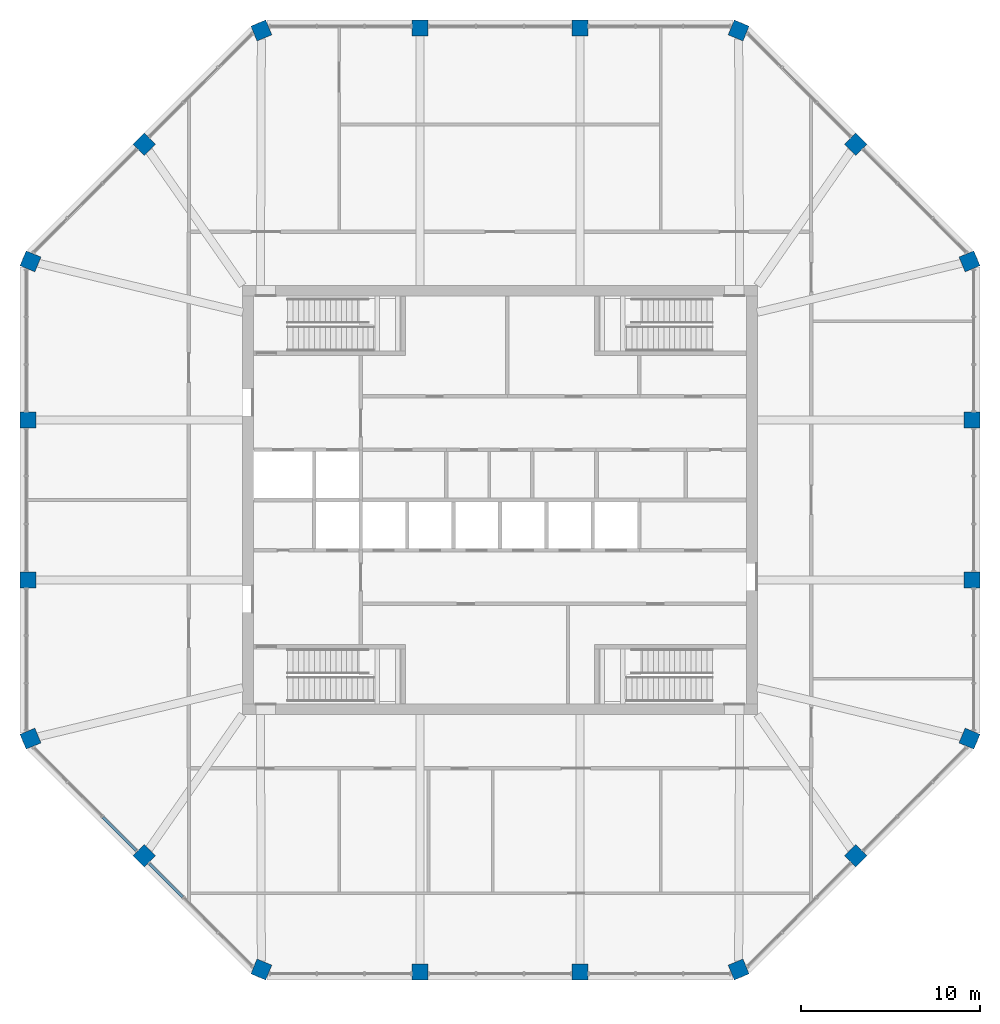
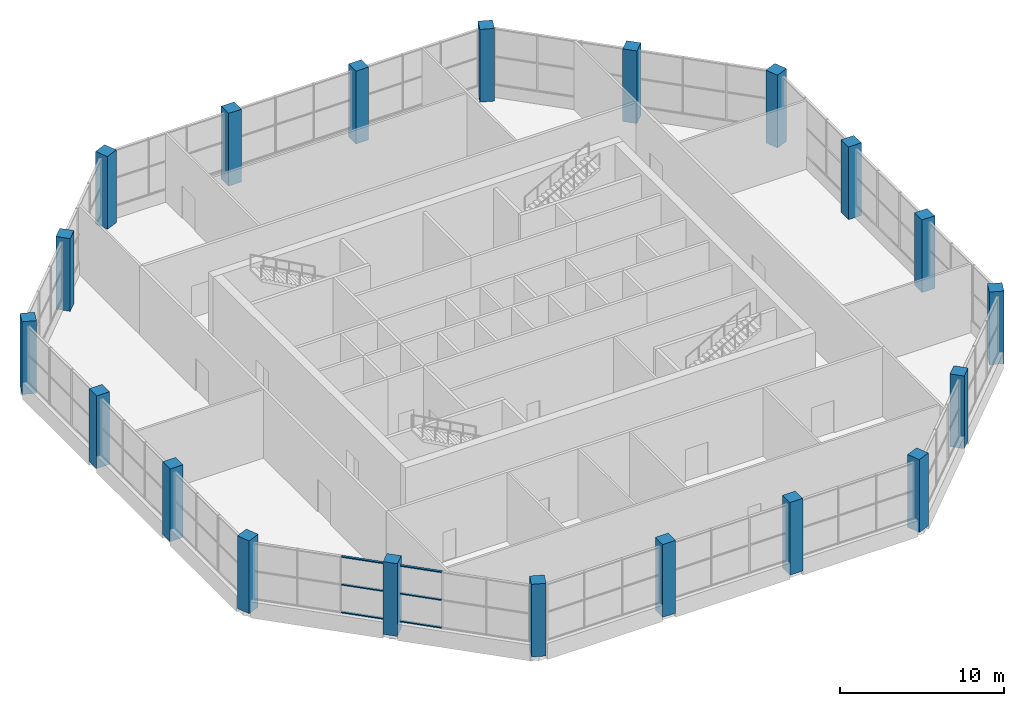
# One storey, part 1 of 15: 20 columns, 6 members, 2 elements without a shape of their own.
"""IFC4 building model written with IfcOpenShell, lengths in metres."""

from ifc_helpers import new_model, si_unit, direction, frame, origin, origin_2d, place, context, subcontext, project, spatial, rectangle, extrude, material, material_profile, profile_set, type_object, element, aggregate, save


model = new_model("IFC4")

# Units and contexts
model_context = context("Model", 3, precision=1e-05, world=origin(), true_north=direction((0.0, 1.0)))
body_context = subcontext(model_context, "Body", "Model", "MODEL_VIEW")
ifc_project = project(units=[si_unit("LENGTHUNIT", "METRE"), si_unit("AREAUNIT", "SQUARE_METRE"), si_unit("VOLUMEUNIT", "CUBIC_METRE"), si_unit("PLANEANGLEUNIT", "RADIAN"), si_unit("MASSUNIT", "GRAM", prefix="KILO")], contexts=[model_context])

# Site, building, storey
site_placement = place(None, origin())
site = spatial("IfcSite", under=ifc_project, at=site_placement, CompositionType="ELEMENT")
building_placement = place(site_placement, origin())
building = spatial("IfcBuilding", under=site, at=building_placement, Name="Msitu Wima Residences", CompositionType="ELEMENT")
storey_placement = place(building_placement, frame((0.0, 0.0, 314.699951171875)))
storey = spatial("IfcBuildingStorey", under=building, at=storey_placement, Name="L73", CompositionType="ELEMENT", Elevation=314.699951171875)

# Columns
ifc_material_1 = material(Name="Concrete C50/60", Category="concrete")
ifc_material_profile_1 = material_profile(ifc_material_1, rectangle(XDim=0.89990234375, YDim=0.89990234375, at=origin_2d()), Name="RC 900x900")
ifc_profile_set_1 = profile_set([ifc_material_profile_1], Name="Concrete C50/60")
column_type = type_object("IfcColumnType", Name="Column RC 900x900 Concrete C50/60", PredefinedType="COLUMN", material=ifc_profile_set_1)
for number, where, z_axis, x_axis, name in (
    (1, (26.261962890625, -13.3486328125, 0.0), (0.0, 0.0, 1.0), (0.382683496864, 0.923879505795, 0.0), "Column L73 C-E0"),
    (2, (26.39990234375, -4.46875, 0.0), (0.0, 0.0, 1.0), (0.0, 1.0, 0.0), "Column L73 C-E1"),
    (3, (26.39990234375, 4.46875, 0.0), (0.0, 0.0, 1.0), (0.0, 1.0, 0.0), "Column L73 C-E2"),
    (4, (26.261962890625, 13.3486328125, 0.0), (0.0, 0.0, 1.0), (-0.382683496864, 0.923879505795, 0.0), "Column L73 C-NE0"),
    (5, (19.90283203125, 19.90283203125, 0.0), (0.0, 0.0, 1.0), (-0.707106781187, 0.707106781187, 0.0), "Column L73 C-NE1"),
    (6, (13.3486328125, 26.261962890625, 0.0), (0.0, 0.0, 1.0), (-0.923879505795, 0.382683496864, 0.0), "Column L73 C-N0"),
    (7, (4.46875, 26.39990234375, 0.0), (0.0, 0.0, 1.0), (-1.0, 0.0, 0.0), "Column L73 C-N1"),
    (8, (-4.46875, 26.39990234375, 0.0), (0.0, 0.0, 1.0), (-1.0, 0.0, 0.0), "Column L73 C-N2"),
    (9, (-13.3486328125, 26.261962890625, 0.0), (0.0, 0.0, 1.0), (-0.923879505795, -0.382683496864, 0.0), "Column L73 C-NW0"),
    (10, (-19.90283203125, 19.90283203125, 0.0), (0.0, 0.0, 1.0), (-0.707106781187, -0.707106781187, 0.0), "Column L73 C-NW1"),
    (11, (-26.261962890625, 13.3486328125, 0.0), (0.0, 0.0, 1.0), (-0.382683496864, -0.923879505795, 0.0), "Column L73 C-W0"),
    (12, (-26.39990234375, 4.46875, 0.0), (0.0, 0.0, 1.0), (0.0, -1.0, 0.0), "Column L73 C-W1"),
    (13, (-26.39990234375, -4.46875, 0.0), (0.0, 0.0, 1.0), (0.0, -1.0, 0.0), "Column L73 C-W2"),
    (14, (-26.261962890625, -13.3486328125, 0.0), (0.0, 0.0, 1.0), (0.382683496864, -0.923879505795, 0.0), "Column L73 C-SW0"),
    (15, (-19.90283203125, -19.90283203125, 0.0), (0.0, 0.0, 1.0), (0.707106781187, -0.707106781187, 0.0), "Column L73 C-SW1"),
    (16, (-13.3486328125, -26.261962890625, 0.0), (0.0, 0.0, 1.0), (0.923879505795, -0.382683496864, 0.0), "Column L73 C-S0"),
    (17, (-4.46875, -26.39990234375, 0.0), (0.0, 0.0, 1.0), (1.0, 0.0, 0.0), "Column L73 C-S1"),
    (18, (4.46875, -26.39990234375, 0.0), (0.0, 0.0, 1.0), (1.0, 0.0, 0.0), "Column L73 C-S2"),
    (19, (13.3486328125, -26.261962890625, 0.0), (0.0, 0.0, 1.0), (0.923879505795, 0.382683496864, 0.0), "Column L73 C-SE0"),
    (20, (19.90283203125, -19.90283203125, 0.0), (0.0, 0.0, 1.0), (0.707106781187, 0.707106781187, 0.0), "Column L73 C-SE1"),
):
    element("IfcColumn", number, at=place(storey_placement, frame(where, z_axis=z_axis, x_axis=x_axis)), inside=storey, type_object=column_type, Name=name, PredefinedType="COLUMN", context=body_context, shape_type="SweptSolid", body=[
        extrude(rectangle(XDim=0.89990234375, YDim=0.89990234375, at=origin_2d()), origin(), (0.0, 0.0, 1.0), 5.400146484375),
    ])

# Curtain wall, members
ifc_material_2 = material(Name="Anodised aluminium, bronze finish, solar control laminated double glazing", Category="aluminium")
curtain_wall_type = type_object("IfcCurtainWallType", Name="Curtain wall CW3 top lounge wall", PredefinedType="NOTDEFINED", material=ifc_material_2)
curtain_wall_1_placement = place(storey_placement, origin())
curtain_wall_1 = element("IfcCurtainWall", 21, at=curtain_wall_1_placement, inside=storey, type_object=curtain_wall_type, Name="Curtain wall CW3 L73 SW0", PredefinedType="NOTDEFINED")
ifc_material_3 = material(Name="Anodised aluminium, bronze finish", Category="aluminium")
ifc_material_profile_2 = material_profile(ifc_material_3, rectangle(XDim=0.159912109375, YDim=0.074951171875, at=origin_2d()), Name="Transom 75x160")
ifc_profile_set_2 = profile_set([ifc_material_profile_2], Name="Anodised aluminium, bronze finish")
member_type = type_object("IfcMemberType", Name="Transom CW3 75x160", PredefinedType="USERDEFINED", material=ifc_profile_set_2)
member_1_placement = place(storey_placement, frame((-22.210205078125, -17.737060546875, 0.9375), z_axis=(0.707060506079, -0.707153053266, 0.0), x_axis=(0.707153053266, 0.707060506079, 0.0)))
member_1 = element("IfcMember", 22, at=member_1_placement, type_object=member_type, Name="CW3 transom 3.1", ObjectType="TRANSOM", PredefinedType="USERDEFINED", context=body_context, shape_type="SweptSolid", body=[
    extrude(rectangle(XDim=0.159912109375, YDim=0.074951171875, at=origin_2d()), origin(), (0.0, 0.0, 1.0), 2.637939453125),
])
member_2_placement = place(storey_placement, frame((-22.210205078125, -17.737060546875, 3.0), z_axis=(0.707060506079, -0.707153053266, 0.0), x_axis=(0.707153053266, 0.707060506079, 0.0)))
member_2 = element("IfcMember", 23, at=member_2_placement, type_object=member_type, Name="CW3 transom 3.2", ObjectType="TRANSOM", PredefinedType="USERDEFINED", context=body_context, shape_type="SweptSolid", body=[
    extrude(rectangle(XDim=0.159912109375, YDim=0.074951171875, at=origin_2d()), origin(), (0.0, 0.0, 1.0), 2.637939453125),
])
member_3_placement = place(storey_placement, frame((-22.210205078125, -17.737060546875, 5.0625), z_axis=(0.707060506079, -0.707153053266, 0.0), x_axis=(0.707153053266, 0.707060506079, 0.0)))
member_3 = element("IfcMember", 24, at=member_3_placement, type_object=member_type, Name="CW3 transom 3.3", ObjectType="TRANSOM", PredefinedType="USERDEFINED", context=body_context, shape_type="SweptSolid", body=[
    extrude(rectangle(XDim=0.159912109375, YDim=0.074951171875, at=origin_2d()), origin(), (0.0, 0.0, 1.0), 2.637939453125),
])
aggregate(curtain_wall_1, [member_1, member_2, member_3])

curtain_wall_2_placement = place(storey_placement, origin())
curtain_wall_2 = element("IfcCurtainWall", 25, at=curtain_wall_2_placement, inside=storey, type_object=curtain_wall_type, Name="Curtain wall CW3 L73 SW1", PredefinedType="NOTDEFINED")
member_4_placement = place(storey_placement, frame((-19.6025390625, -20.344970703125, 0.9375), z_axis=(0.707153053266, -0.707060506079, 0.0), x_axis=(0.707060506079, 0.707153053266, 0.0)))
member_4 = element("IfcMember", 26, at=member_4_placement, type_object=member_type, Name="CW3 transom 1.1", ObjectType="TRANSOM", PredefinedType="USERDEFINED", context=body_context, shape_type="SweptSolid", body=[
    extrude(rectangle(XDim=0.159912109375, YDim=0.074951171875, at=origin_2d()), origin(), (0.0, 0.0, 1.0), 2.637939453125),
])
member_5_placement = place(storey_placement, frame((-19.6025390625, -20.344970703125, 3.0), z_axis=(0.707153053266, -0.707060506079, 0.0), x_axis=(0.707060506079, 0.707153053266, 0.0)))
member_5 = element("IfcMember", 27, at=member_5_placement, type_object=member_type, Name="CW3 transom 1.2", ObjectType="TRANSOM", PredefinedType="USERDEFINED", context=body_context, shape_type="SweptSolid", body=[
    extrude(rectangle(XDim=0.159912109375, YDim=0.074951171875, at=origin_2d()), origin(), (0.0, 0.0, 1.0), 2.637939453125),
])
member_6_placement = place(storey_placement, frame((-19.6025390625, -20.344970703125, 5.0625), z_axis=(0.707153053266, -0.707060506079, 0.0), x_axis=(0.707060506079, 0.707153053266, 0.0)))
member_6 = element("IfcMember", 28, at=member_6_placement, type_object=member_type, Name="CW3 transom 1.3", ObjectType="TRANSOM", PredefinedType="USERDEFINED", context=body_context, shape_type="SweptSolid", body=[
    extrude(rectangle(XDim=0.159912109375, YDim=0.074951171875, at=origin_2d()), origin(), (0.0, 0.0, 1.0), 2.637939453125),
])
aggregate(curtain_wall_2, [member_4, member_5, member_6])

save(model, "model.ifc")
